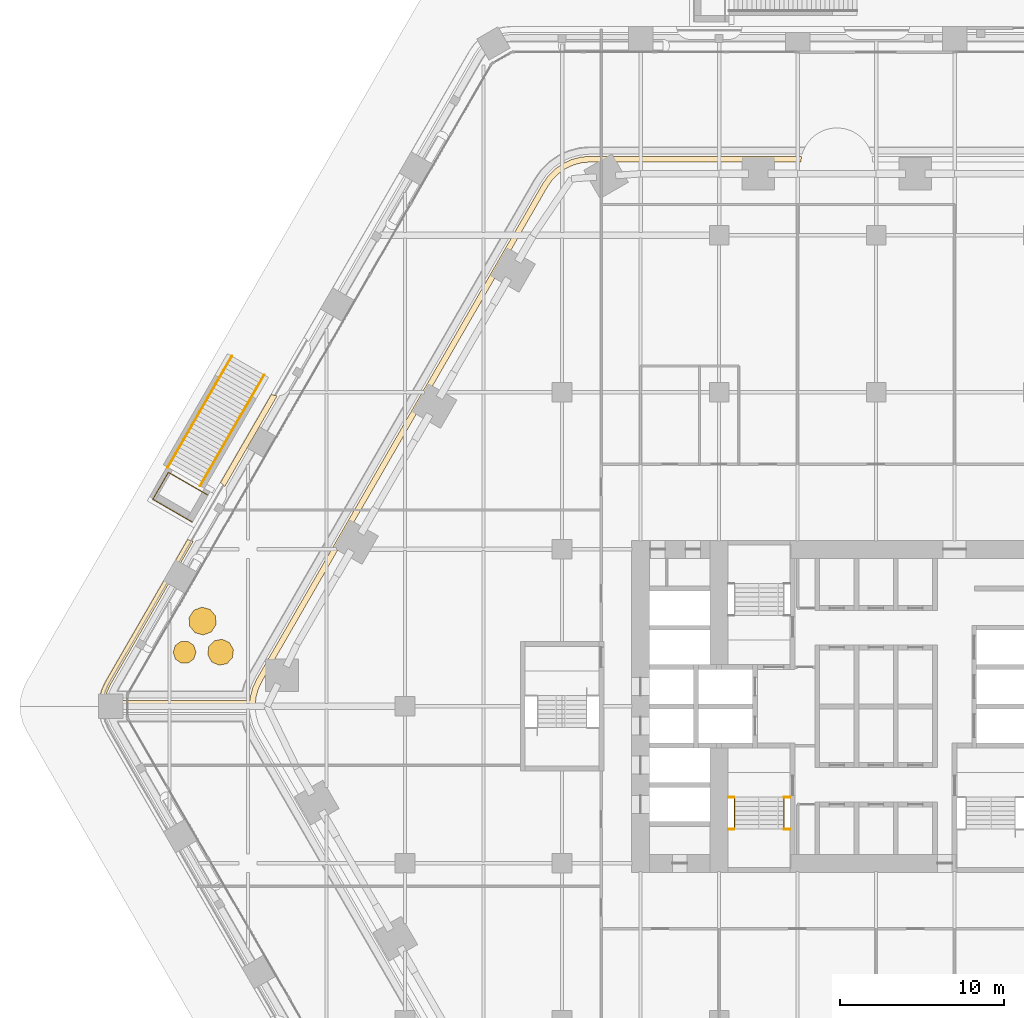
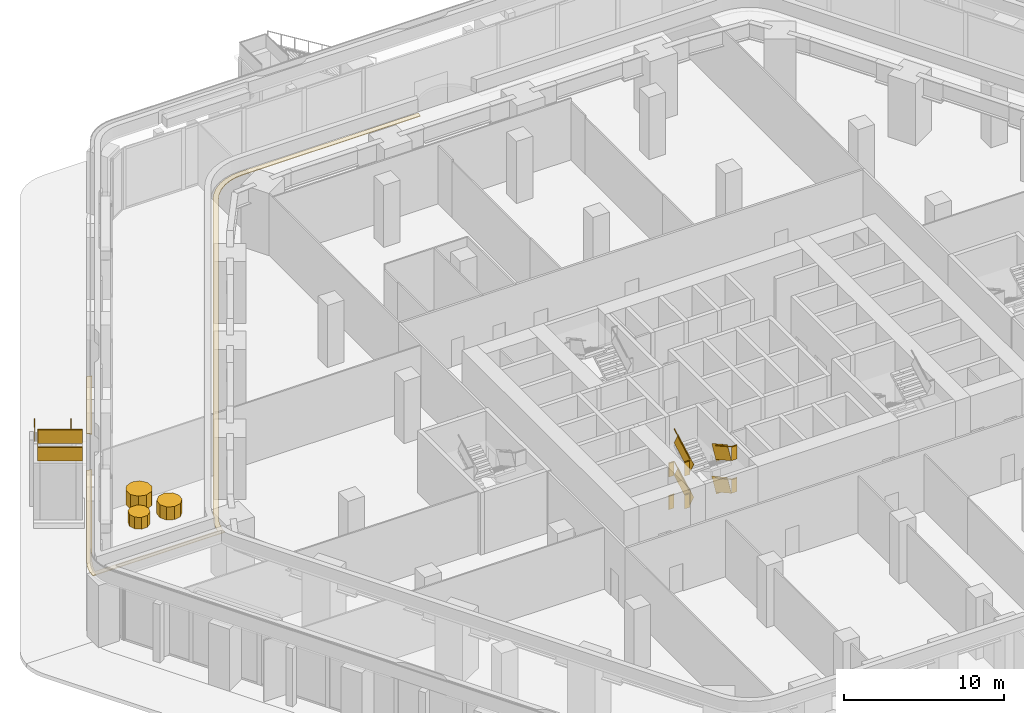
# One storey, part 30 of 34: 5 coverings, 5 railings.
"""IFC4 building model written with IfcOpenShell, lengths in metres."""

import ifcopenshell
import ifcopenshell.guid

model = None  # the IFC model being written
_history = None  # IfcOwnerHistory: only IFC2X3 demands one
_inside = {}  # id of a spatial element -> (the spatial element, [elements in it])
_under = {}  # id of a project, library or spatial element -> (it, [spatial elements below it])
_declared = {}  # id of a project -> (the project, [libraries it declares])
_typed = {}  # id of a type object -> (the type object, [elements of that type])
_made_of = {}  # id of a material, layer set ... -> (it, [elements and type objects made of it])


def new_model(schema):
    """Start an empty IFC model of exactly this schema.

    Asked for "IFC4X3", IfcOpenShell would pick the latest addendum, in which some entities
    have other attributes; the version numbers below select the first issue.
    IFC2X3 requires an IfcOwnerHistory on every rooted entity: one is made here for all.
    """
    global model, _history
    if schema == "IFC4X3":
        model = ifcopenshell.file(schema_version=(4, 3, 0, 0))
    else:
        model = ifcopenshell.file(schema=schema)
    _inside.clear()
    _under.clear()
    _declared.clear()
    _typed.clear()
    _made_of.clear()
    _history = None
    if model.schema == "IFC2X3":
        org = make("IfcOrganization", Name="unknown")
        user = make(
            "IfcPersonAndOrganization",
            ThePerson=make("IfcPerson", FamilyName="unknown"),
            TheOrganization=org,
        )
        app = make(
            "IfcApplication",
            ApplicationDeveloper=org,
            Version="unknown",
            ApplicationFullName="unknown",
            ApplicationIdentifier="unknown",
        )
        _history = make(
            "IfcOwnerHistory",
            OwningUser=user,
            OwningApplication=app,
            ChangeAction="ADDED",
            CreationDate=0,
        )
    return model


def make(cls, **values):
    """One entity of the class cls with the attributes given. An attribute that is None is left unset."""
    return model.create_entity(
        cls, **{name: value for name, value in values.items() if value is not None}
    )


def rooted(cls, **values):
    """An entity with a GlobalId (a new one), such as an element, a storey or a relation."""
    return make(cls, GlobalId=ifcopenshell.guid.new(), OwnerHistory=_history, **values)


def si_unit(unit_type, name, prefix=None):
    """IfcSIUnit, for example si_unit("LENGTHUNIT", "METRE", prefix="MILLI")."""
    return make("IfcSIUnit", UnitType=unit_type, Prefix=prefix, Name=name)


def assignment(units):
    """IfcUnitAssignment: the units of a project."""
    return None if units is None else make("IfcUnitAssignment", Units=units)


def point(xyz):
    """IfcCartesianPoint."""
    return None if xyz is None else make("IfcCartesianPoint", Coordinates=xyz)


def direction(xyz):
    """IfcDirection."""
    return None if xyz is None else make("IfcDirection", DirectionRatios=xyz)


def frame(location, z_axis=None, x_axis=None):
    """IfcAxis2Placement3D, a coordinate frame: its origin and axes. An axis left out is left unset."""
    return make(
        "IfcAxis2Placement3D",
        Location=point(location),
        Axis=direction(z_axis),
        RefDirection=direction(x_axis),
    )


def frame_2d(location, x_axis=None):
    """IfcAxis2Placement2D, a coordinate frame in the plane: its origin and x axis."""
    return make(
        "IfcAxis2Placement2D", Location=point(location), RefDirection=direction(x_axis)
    )


def origin():
    """The frame at (0, 0, 0) with its axes left unset."""
    return frame((0.0, 0.0, 0.0))


def origin_2d():
    """The frame at (0, 0) in the plane with its x axis left unset."""
    return frame_2d((0.0, 0.0))


def place(relative_to, where):
    """IfcLocalPlacement: puts the frame where relative to a parent placement (None: the world)."""
    return make(
        "IfcLocalPlacement", PlacementRelTo=relative_to, RelativePlacement=where
    )


def context(
    kind, dimensions, precision=None, world=None, true_north=None, identifier=None
):
    """IfcGeometricRepresentationContext, for example the 3D "Model" context."""
    return make(
        "IfcGeometricRepresentationContext",
        ContextIdentifier=identifier,
        ContextType=kind,
        CoordinateSpaceDimension=dimensions,
        Precision=precision,
        WorldCoordinateSystem=world,
        TrueNorth=true_north,
    )


def subcontext(parent, identifier, kind, view, scale=None):
    """IfcGeometricRepresentationSubContext, for example "Body" below "Model"."""
    return make(
        "IfcGeometricRepresentationSubContext",
        ContextIdentifier=identifier,
        ContextType=kind,
        ParentContext=parent,
        TargetScale=scale,
        TargetView=view,
    )


def project(units=None, contexts=None):
    """IfcProject with its units and contexts."""
    return rooted(
        "IfcProject",
        Name="project",
        RepresentationContexts=contexts,
        UnitsInContext=assignment(units),
    )


def spatial(cls, under=None, at=None, **own):
    """A site, building, storey or space (cls), placed at a placement, below another one or the project."""
    s = rooted(cls, ObjectPlacement=at, **own)
    if under is not None:
        _under.setdefault(under.id(), (under, []))[1].append(s)
    return s


def polyline(points):
    """IfcPolyline through the points."""
    return make("IfcPolyline", Points=[point(p) for p in points])


def profile(cls, at=None, kind="AREA", **sizes):
    """A parametric profile (cls). Its sizes go by their IFC names, for example OverallWidth=200.0."""
    return make(cls, ProfileType=kind, Position=at, **sizes)


def rectangle(**sizes):
    """IfcRectangleProfileDef."""
    return profile("IfcRectangleProfileDef", **sizes)


def circle(**sizes):
    """IfcCircleProfileDef."""
    return profile("IfcCircleProfileDef", **sizes)


def outline(outer, holes=None, kind="AREA"):
    """IfcArbitraryClosedProfileDef: a profile drawn as a closed curve; with holes, ...WithVoids."""
    if holes is None:
        return make("IfcArbitraryClosedProfileDef", ProfileType=kind, OuterCurve=outer)
    return make(
        "IfcArbitraryProfileDefWithVoids",
        ProfileType=kind,
        OuterCurve=outer,
        InnerCurves=holes,
    )


def extrude(swept, where, along, depth):
    """IfcExtrudedAreaSolid: the profile swept, set in the frame where, extruded along a direction by depth."""
    return make(
        "IfcExtrudedAreaSolid",
        SweptArea=swept,
        Position=where,
        ExtrudedDirection=direction(along),
        Depth=depth,
    )


def shape(context_of_items, identifier, shape_type, items):
    """IfcShapeRepresentation: the items that make up one representation, for example the "Body"."""
    return make(
        "IfcShapeRepresentation",
        ContextOfItems=context_of_items,
        RepresentationIdentifier=identifier,
        RepresentationType=shape_type,
        Items=items,
    )


def material(Name=None, Category=None):
    """IfcMaterial."""
    return make("IfcMaterial", Name=Name, Category=Category)


def layer(
    of_material, thickness, ventilated=None, Name=None, Category=None, Priority=None
):
    """IfcMaterialLayer: one layer of a wall or slab, of a material (None: an air gap)."""
    return make(
        "IfcMaterialLayer",
        Material=of_material,
        LayerThickness=thickness,
        IsVentilated=ventilated,
        Name=Name,
        Category=Category,
        Priority=Priority,
    )


def layer_set(layers, Name=None):
    """IfcMaterialLayerSet."""
    return make("IfcMaterialLayerSet", MaterialLayers=layers, LayerSetName=Name)


def made_of(thing, what):
    """Note that an element or type object is made of a material, layer set ...; save() writes the relation."""
    if what is not None:
        _made_of.setdefault(what.id(), (what, []))[1].append(thing)
    return thing


def type_object(cls, material=None, **own):
    """A type object (cls), such as IfcWallType, which elements share."""
    return made_of(rooted(cls, **own), material)


def element(
    cls,
    number,
    at=None,
    inside=None,
    cuts=None,
    type_object=None,
    material=None,
    context=None,
    identifier="Body",
    shape_type=None,
    held_by="IfcProductDefinitionShape",
    body=None,
    shapes=None,
    **own,
):
    """One element of the class cls, such as IfcWall. Its Tag is "e" and its number.

    at: its placement. inside: the storey or other place that contains it. cuts: it is an
    opening in that element (IfcRelVoidsElement). A single representation is given by context,
    identifier, shape_type and body (its items); several are given by shapes. held_by: the class
    of the entity that holds the representations. save() writes the other relations.
    """
    e = rooted(cls, Tag="e%d" % number, ObjectPlacement=at, **own)
    if body is not None:
        shapes = [shape(context, identifier, shape_type, body)]
    if shapes is not None:
        e.Representation = make(held_by, Representations=shapes)
    if inside is not None:
        _inside.setdefault(inside.id(), (inside, []))[1].append(e)
    if cuts is not None:
        rooted(
            "IfcRelVoidsElement", RelatingBuildingElement=cuts, RelatedOpeningElement=e
        )
    if type_object is not None:
        _typed.setdefault(type_object.id(), (type_object, []))[1].append(e)
    return made_of(e, material)


def aggregate(whole, parts):
    """IfcRelAggregates: a whole, such as a stair, and the parts it consists of."""
    return rooted("IfcRelAggregates", RelatingObject=whole, RelatedObjects=parts)


def save(model, path):
    """Write the relations noted so far, then the file.

    IfcRelAggregates (storeys below a building ...), IfcRelContainedInSpatialStructure (elements
    in a storey), IfcRelDefinesByType, IfcRelAssociatesMaterial and IfcRelDeclares: one each for
    every whole, place, type object, material and project.
    """
    for whole, parts in _under.values():
        aggregate(whole, parts)
    for where, things in _inside.values():
        rooted(
            "IfcRelContainedInSpatialStructure",
            RelatedElements=things,
            RelatingStructure=where,
        )
    for kind, things in _typed.values():
        rooted("IfcRelDefinesByType", RelatedObjects=things, RelatingType=kind)
    for what, things in _made_of.values():
        rooted("IfcRelAssociatesMaterial", RelatedObjects=things, RelatingMaterial=what)
    for by, libraries in _declared.values():
        rooted("IfcRelDeclares", RelatingContext=by, RelatedDefinitions=libraries)
    model.write(path)


model = new_model("IFC4")

# Units and contexts
model_context = context("Model", 3, precision=1e-05, world=origin(), true_north=direction((0.0, 1.0)))
body_context = subcontext(model_context, "Body", "Model", "MODEL_VIEW")
ifc_project = project(units=[si_unit("LENGTHUNIT", "METRE"), si_unit("AREAUNIT", "SQUARE_METRE"), si_unit("VOLUMEUNIT", "CUBIC_METRE"), si_unit("PLANEANGLEUNIT", "RADIAN"), si_unit("MASSUNIT", "GRAM", prefix="KILO")], contexts=[model_context])

# Site, building, storey
site_placement = place(None, origin())
site = spatial("IfcSite", under=ifc_project, at=site_placement, CompositionType="ELEMENT")
building_placement = place(site_placement, origin())
building = spatial("IfcBuilding", under=site, at=building_placement, Name="Kolab Exchange Tower", CompositionType="ELEMENT")
storey_placement = place(building_placement, frame((0.0, 0.0, 12.39990234375)))
storey = spatial("IfcBuildingStorey", under=building, at=storey_placement, Name="L02", CompositionType="ELEMENT", Elevation=12.39990234375)

# Covering
ifc_material_1 = material(Name="Flowering shrub planting", Category="soil")
ifc_layer_1 = layer(ifc_material_1, 1.0)
ifc_layer_set_1 = layer_set([ifc_layer_1], Name="Flowering shrub planting")
covering_type_1 = type_object("IfcCoveringType", Name="FLOWERING SHRUB PLANTING", PredefinedType="USERDEFINED", material=ifc_layer_set_1)
covering_1_placement = place(storey_placement, frame((0.0, 0.0, 5.25)))
element("IfcCovering", 1, at=covering_1_placement, inside=storey, type_object=covering_type_1, Name="Flowering shrub", ObjectType="PLANTING", PredefinedType="USERDEFINED", context=body_context, shape_type="SweptSolid", body=[
    extrude(outline(polyline([(-39.291015625, 3.464111328125), (-39.5341796875, 3.89453125), (-39.98388671875, 4.10009765625), (-40.468505859375, 4.001708984375), (-40.802978515625, 3.637451171875), (-40.859130859375, 3.146240234375), (-40.615966796875, 2.7158203125), (-40.166259765625, 2.510498046875), (-39.681640625, 2.608642578125), (-39.347412109375, 2.972900390625), (-39.291015625, 3.464111328125)])), origin(), (0.0, 0.0, 1.0), 1.0),
])

# Railings
ifc_material_2 = material(Name="Stainless steel 316", Category="steel")
railing_type_1 = type_object("IfcRailingType", Name="GUARD 1100", PredefinedType="GUARDRAIL", material=ifc_material_2)
railing_1_placement = place(storey_placement, frame((-9.050048828125, -5.550048828125, 0.0)))
element("IfcRailing", 2, at=railing_1_placement, inside=storey, type_object=railing_type_1, Name="Guard ST3", PredefinedType="GUARDRAIL", context=body_context, shape_type="SweptSolid", body=[
    extrude(rectangle(XDim=0.05, YDim=0.05, at=origin_2d()), frame((0.0, 0.0, 1.0751953125), z_axis=(1.0, 0.0, 0.0), x_axis=(0.0, 1.0, 0.0)), (0.0, 0.0, 1.0), 0.39013671875),
    extrude(rectangle(XDim=0.012, YDim=1.05009765625, at=frame_2d((0.0, 0.525146484375))), frame((0.0, 0.0, 0.0), z_axis=(1.0, 0.0, 0.0), x_axis=(0.0, 1.0, 0.0)), (0.0, 0.0, 1.0), 0.39013671875),
    extrude(rectangle(XDim=0.05, YDim=0.05, at=origin_2d()), frame((3.41015625, 0.0, 1.0751953125), z_axis=(1.0, 0.0, 0.0), x_axis=(0.0, 1.0, 0.0)), (0.0, 0.0, 1.0), 0.389892578125),
    extrude(rectangle(XDim=0.012, YDim=1.05009765625, at=frame_2d((0.0, 0.525146484375))), frame((3.41015625, 0.0, 0.0), z_axis=(1.0, 0.0, 0.0), x_axis=(0.0, 1.0, 0.0)), (0.0, 0.0, 1.0), 0.389892578125),
    extrude(rectangle(XDim=0.05, YDim=0.05, at=origin_2d()), frame((0.0, -1.9599609375, 2.3251953125), z_axis=(1.0, 0.0, 0.0), x_axis=(0.0, 1.0, 0.0)), (0.0, 0.0, 1.0), 0.39013671875),
    extrude(rectangle(XDim=0.012, YDim=1.05009765625, at=frame_2d((0.0, 0.525146484375))), frame((0.0, -1.9599609375, 1.25), z_axis=(1.0, 0.0, 0.0), x_axis=(0.0, 1.0, 0.0)), (0.0, 0.0, 1.0), 0.39013671875),
    extrude(rectangle(XDim=0.05, YDim=0.05, at=origin_2d()), frame((3.41015625, -1.9599609375, 2.3251953125), z_axis=(1.0, 0.0, 0.0), x_axis=(0.0, 1.0, 0.0)), (0.0, 0.0, 1.0), 0.389892578125),
    extrude(rectangle(XDim=0.012, YDim=1.05009765625, at=frame_2d((0.0, 0.525146484375))), frame((3.41015625, -1.9599609375, 1.25), z_axis=(1.0, 0.0, 0.0), x_axis=(0.0, 1.0, 0.0)), (0.0, 0.0, 1.0), 0.389892578125),
    extrude(rectangle(XDim=0.05, YDim=0.05, at=origin_2d()), frame((0.0, 0.0, 3.5751953125), z_axis=(1.0, 0.0, 0.0), x_axis=(0.0, 1.0, 0.0)), (0.0, 0.0, 1.0), 0.39013671875),
    extrude(rectangle(XDim=0.012, YDim=1.05009765625, at=frame_2d((0.0, 0.525146484375))), frame((0.0, 0.0, 2.5), z_axis=(1.0, 0.0, 0.0), x_axis=(0.0, 1.0, 0.0)), (0.0, 0.0, 1.0), 0.39013671875),
    extrude(rectangle(XDim=0.05, YDim=0.05, at=origin_2d()), frame((3.41015625, 0.0, 3.5751953125), z_axis=(1.0, 0.0, 0.0), x_axis=(0.0, 1.0, 0.0)), (0.0, 0.0, 1.0), 0.389892578125),
    extrude(rectangle(XDim=0.012, YDim=1.05009765625, at=frame_2d((0.0, 0.525146484375))), frame((3.41015625, 0.0, 2.5), z_axis=(1.0, 0.0, 0.0), x_axis=(0.0, 1.0, 0.0)), (0.0, 0.0, 1.0), 0.389892578125),
    extrude(rectangle(XDim=0.05, YDim=0.05, at=origin_2d()), frame((0.0, -1.9599609375, 4.8251953125), z_axis=(1.0, 0.0, 0.0), x_axis=(0.0, 1.0, 0.0)), (0.0, 0.0, 1.0), 0.39013671875),
    extrude(rectangle(XDim=0.012, YDim=1.05009765625, at=frame_2d((0.0, 0.525146484375))), frame((0.0, -1.9599609375, 3.75), z_axis=(1.0, 0.0, 0.0), x_axis=(0.0, 1.0, 0.0)), (0.0, 0.0, 1.0), 0.39013671875),
    extrude(rectangle(XDim=0.05, YDim=0.05, at=origin_2d()), frame((3.41015625, -1.9599609375, 4.8251953125), z_axis=(1.0, 0.0, 0.0), x_axis=(0.0, 1.0, 0.0)), (0.0, 0.0, 1.0), 0.389892578125),
    extrude(rectangle(XDim=0.012, YDim=1.05009765625, at=frame_2d((0.0, 0.525146484375))), frame((3.41015625, -1.9599609375, 3.75), z_axis=(1.0, 0.0, 0.0), x_axis=(0.0, 1.0, 0.0)), (0.0, 0.0, 1.0), 0.389892578125),
])
railing_2_placement = place(storey_placement, frame((-5.639892578125, -5.550048828125, 0.156494140625)))
element("IfcRailing", 3, at=railing_2_placement, inside=storey, type_object=railing_type_1, Name="Handrail guard ST3", PredefinedType="GUARDRAIL", context=body_context, shape_type="SweptSolid", body=[
    extrude(rectangle(XDim=0.05, YDim=0.05, at=origin_2d()), frame((0.0, 0.0, 1.0751953125), z_axis=(0.0, -0.873278433264, 0.487221487617), x_axis=(1.0, 0.0, 0.0)), (0.0, 0.0, 1.0), 2.244384765625),
    extrude(rectangle(XDim=0.012, YDim=1.05009765625, at=frame_2d((0.0, 0.525146484375))), frame((0.0, 0.0, 0.0), z_axis=(0.0, -0.873278433264, 0.487221487617), x_axis=(1.0, 0.0, 0.0)), (0.0, 0.0, 1.0), 2.244384765625),
    extrude(rectangle(XDim=0.05, YDim=0.05, at=origin_2d()), frame((-3.02001953125, -1.9599609375, 2.3251953125), z_axis=(0.0, 0.873278433264, 0.487221487617), x_axis=(-1.0, 0.0, 0.0)), (0.0, 0.0, 1.0), 2.244384765625),
    extrude(rectangle(XDim=0.012, YDim=1.05009765625, at=frame_2d((0.0, 0.525146484375))), frame((-3.02001953125, -1.9599609375, 1.25), z_axis=(0.0, 0.873278433264, 0.487221487617), x_axis=(-1.0, 0.0, 0.0)), (0.0, 0.0, 1.0), 2.244384765625),
    extrude(rectangle(XDim=0.05, YDim=0.05, at=origin_2d()), frame((0.0, 0.0, 3.5751953125), z_axis=(0.0, -0.873278433264, 0.487221487617), x_axis=(1.0, 0.0, 0.0)), (0.0, 0.0, 1.0), 2.244384765625),
    extrude(rectangle(XDim=0.012, YDim=1.05009765625, at=frame_2d((0.0, 0.525146484375))), frame((0.0, 0.0, 2.5), z_axis=(0.0, -0.873278433264, 0.487221487617), x_axis=(1.0, 0.0, 0.0)), (0.0, 0.0, 1.0), 2.244384765625),
    extrude(rectangle(XDim=0.05, YDim=0.05, at=origin_2d()), frame((-3.02001953125, -1.9599609375, 4.824951171875), z_axis=(0.0, 0.873232148454, 0.487304437602), x_axis=(-1.0, 0.0, 0.0)), (0.0, 0.0, 1.0), 2.244384765625),
    extrude(rectangle(XDim=0.012, YDim=1.05009765625, at=frame_2d((0.0, 0.525146484375))), frame((-3.02001953125, -1.9599609375, 3.749755859375), z_axis=(0.0, 0.873232148454, 0.487304437602), x_axis=(-1.0, 0.0, 0.0)), (0.0, 0.0, 1.0), 2.244384765625),
])
ifc_material_3 = material(Name="Steel S235", Category="steel")
railing_type_2 = type_object("IfcRailingType", Name="GUARD 1100 GLASS BALUSTRADE AND STEEL TOP RAIL", PredefinedType="GUARDRAIL", material=ifc_material_3)
for number, where, name in (
    (4, (-37.411376953125, 20.260009765625, 0.172607421875), "Stair guard"),
    (5, (-39.385986328125, 21.39990234375, 0.172607421875), "Stair guard"),
):
    element("IfcRailing", number, at=place(storey_placement, frame(where)), inside=storey, type_object=railing_type_2, Name=name, PredefinedType="GUARDRAIL", context=body_context, shape_type="SweptSolid", body=[
        extrude(circle(Radius=0.02490234375, at=origin_2d()), frame((0.0, 0.0, 1.0751953125), z_axis=(-0.425757892633, -0.737439399235, 0.524321799391), x_axis=(0.86602690036, -0.499997407846, 0.0)), (0.0, 0.0, 1.0), 9.20703125),
        extrude(circle(Radius=0.02001953125, at=origin_2d()), origin(), (0.0, 0.0, 1.0), 1.050048828125),
        extrude(circle(Radius=0.02001953125, at=origin_2d()), frame((-0.489990234375, -0.8486328125, 0.603515625)), (0.0, 0.0, 1.0), 1.050048828125),
        extrude(circle(Radius=0.02001953125, at=origin_2d()), frame((-0.97998046875, -1.697265625, 1.206787109375)), (0.0, 0.0, 1.0), 1.050048828125),
        extrude(circle(Radius=0.02001953125, at=origin_2d()), frame((-1.469970703125, -2.546142578125, 1.810302734375)), (0.0, 0.0, 1.0), 1.050048828125),
        extrude(circle(Radius=0.02001953125, at=origin_2d()), frame((-1.9599609375, -3.394775390625, 2.41357421875)), (0.0, 0.0, 1.0), 1.050048828125),
        extrude(circle(Radius=0.02001953125, at=origin_2d()), frame((-2.449951171875, -4.243408203125, 3.01708984375)), (0.0, 0.0, 1.0), 1.050048828125),
        extrude(circle(Radius=0.02001953125, at=origin_2d()), frame((-2.93994140625, -5.09228515625, 3.62060546875)), (0.0, 0.0, 1.0), 1.050048828125),
        extrude(circle(Radius=0.02001953125, at=origin_2d()), frame((-3.429931640625, -5.94091796875, 4.223876953125)), (0.0, 0.0, 1.0), 1.050048828125),
        extrude(circle(Radius=0.02001953125, at=origin_2d()), frame((-3.919921875, -6.78955078125, 4.827392578125)), (0.0, 0.0, 1.0), 1.050048828125),
    ])
railing_3_placement = place(storey_placement, frame((-41.79150390625, 11.25341796875, 5.0)))
element("IfcRailing", 6, at=railing_3_placement, inside=storey, type_object=railing_type_2, Name="Landing guard", PredefinedType="GUARDRAIL", context=body_context, shape_type="SweptSolid", body=[
    extrude(rectangle(XDim=0.05, YDim=0.05, at=origin_2d()), frame((0.0, 0.0, 1.0751953125), z_axis=(-0.866034573852, 0.49998411664, 0.0), x_axis=(-0.49998411664, -0.866034573852, 0.0)), (0.0, 0.0, 1.0), 2.7998046875),
    extrude(rectangle(XDim=0.012, YDim=1.05009765625, at=frame_2d((0.0, 0.525146484375))), frame((0.0, 0.0, 0.0), z_axis=(-0.866034573852, 0.49998411664, 0.0), x_axis=(-0.49998411664, -0.866034573852, 0.0)), (0.0, 0.0, 1.0), 2.7998046875),
    extrude(rectangle(XDim=0.05, YDim=0.05, at=origin_2d()), frame((-2.4248046875, 1.39990234375, 1.0751953125), z_axis=(0.499929534118, 0.866066083458, 0.0), x_axis=(-0.866066083458, 0.499929534118, 0.0)), (0.0, 0.0, 1.0), 1.905029296875),
    extrude(rectangle(XDim=0.012, YDim=1.05009765625, at=frame_2d((0.0, 0.525146484375))), frame((-2.4248046875, 1.39990234375, 0.0), z_axis=(0.499929534118, 0.866066083458, 0.0), x_axis=(-0.866066083458, 0.499929534118, 0.0)), (0.0, 0.0, 1.0), 1.905029296875),
    extrude(rectangle(XDim=0.05, YDim=0.05, at=origin_2d()), frame((-1.472412109375, 3.0498046875, 1.0751953125), z_axis=(0.866034573852, -0.49998411664, 0.0), x_axis=(0.49998411664, 0.866034573852, 0.0)), (0.0, 0.0, 1.0), 2.7998046875),
    extrude(rectangle(XDim=0.012, YDim=1.05009765625, at=frame_2d((0.0, 0.525146484375))), frame((-1.472412109375, 3.0498046875, 0.0), z_axis=(0.866034573852, -0.49998411664, 0.0), x_axis=(0.49998411664, 0.866034573852, 0.0)), (0.0, 0.0, 1.0), 2.7998046875),
])

# Coverings
ifc_material_4 = material(Name="Dense shrub planting", Category="soil")
ifc_layer_2 = layer(ifc_material_4, 1.39990234375)
ifc_layer_set_2 = layer_set([ifc_layer_2], Name="Dense shrub planting")
covering_type_2 = type_object("IfcCoveringType", Name="PLANTED TRELLIS SCREEN AND SHRUB BED", PredefinedType="USERDEFINED", material=ifc_layer_set_2)
covering_2_placement = place(storey_placement, frame((0.0, 0.0, 5.25)))
element("IfcCovering", 7, at=covering_2_placement, inside=storey, type_object=covering_type_2, Name="Shrub bed", ObjectType="PLANTING", PredefinedType="USERDEFINED", context=body_context, shape_type="SweptSolid", body=[
    extrude(outline(polyline([(-41.5751953125, 3.30517578125), (-41.708740234375, 3.716552734375), (-42.058837890625, 3.970947265625), (-42.491455078125, 3.970947265625), (-42.841552734375, 3.716552734375), (-42.97509765625, 3.30517578125), (-42.841552734375, 2.893798828125), (-42.491455078125, 2.639404296875), (-42.058837890625, 2.639404296875), (-41.708740234375, 2.893798828125), (-41.5751953125, 3.30517578125)])), origin(), (0.0, 0.0, 1.0), 0.900146484375),
])
covering_3_placement = place(storey_placement, frame((0.0, 0.0, 5.25)))
element("IfcCovering", 8, at=covering_3_placement, inside=storey, type_object=covering_type_2, Name="Shrub bed", ObjectType="PLANTING", PredefinedType="USERDEFINED", context=body_context, shape_type="SweptSolid", body=[
    extrude(outline(polyline([(-40.7158203125, 5.925537109375), (-41.223876953125, 6.05908203125), (-41.71337890625, 5.8681640625), (-41.997314453125, 5.42626953125), (-41.967041015625, 4.901611328125), (-41.63427734375, 4.4951171875), (-41.126220703125, 4.36181640625), (-40.63671875, 4.552490234375), (-40.35302734375, 4.99462890625), (-40.383056640625, 5.51904296875), (-40.7158203125, 5.925537109375)])), origin(), (0.0, 0.0, 1.0), 1.10009765625),
])
ifc_material_5 = material(Name="Limestone coping", Category="masonry")
ifc_layer_3 = layer(ifc_material_5, 0.050048828125)
ifc_layer_set_3 = layer_set([ifc_layer_3], Name="Limestone coping")
covering_type_3 = type_object("IfcCoveringType", Name="TERRACE EDGE BAND LIMESTONE 50", PredefinedType="CLADDING", material=ifc_layer_set_3)
covering_4_placement = place(storey_placement, frame((0.0, 0.0, 5.0)))
element("IfcCovering", 9, at=covering_4_placement, inside=storey, type_object=covering_type_3, Name="Terrace edge band", PredefinedType="CLADDING", context=body_context, shape_type="SweptSolid", body=[
    extrude(outline(polyline([(-36.962158203125, 19.078125), (-36.91015625, 19.05126953125), (-36.837158203125, 19.0224609375), (-36.76171875, 19.0009765625), (-36.684326171875, 18.98681640625), (-36.614013671875, 18.981201171875), (-39.822509765625, 13.423583984375), (-39.86279296875, 13.481689453125), (-39.91357421875, 13.54150390625), (-39.969970703125, 13.59619140625), (-40.031494140625, 13.64501953125), (-40.08056640625, 13.6767578125), (-36.962158203125, 19.078125)])), origin(), (0.0, 0.0, 1.0), 0.050048828125),
])
covering_5_placement = place(storey_placement, frame((0.0, 0.0, 5.0)))
element("IfcCovering", 10, at=covering_5_placement, inside=storey, type_object=covering_type_3, Name="Terrace edge band", PredefinedType="CLADDING", context=body_context, shape_type="SweptSolid", body=[
    extrude(outline(polyline([(-47.336181640625, 1.019287109375), (-47.1162109375, 1.49072265625), (-42.082275390625, 10.2099609375), (-42.0302734375, 10.183349609375), (-41.95703125, 10.154296875), (-41.881591796875, 10.1328125), (-41.804443359375, 10.11865234375), (-41.734130859375, 10.113037109375), (-46.805419921875, 1.3291015625), (-47.005859375, 0.89892578125), (-47.12451171875, 0.45654296875), (-47.132080078125, 0.3701171875), (-38.27490234375, 0.3701171875), (-38.256103515625, 0.58544921875), (-38.10400390625, 1.153076171875), (-37.862548828125, 1.6708984375), (-20.37841796875, 31.954345703125), (-20.050537109375, 32.42236328125), (-19.635009765625, 32.838134765625), (-19.153564453125, 33.175048828125), (-18.62109375, 33.423583984375), (-18.053466796875, 33.57568359375), (-17.484130859375, 33.62548828125), (-4.547607421875, 33.62548828125), (-4.5576171875, 33.58447265625), (-4.58935546875, 33.37109375), (-4.593994140625, 33.275390625), (-17.46875, 33.275390625), (-17.992431640625, 33.2294921875), (-18.5009765625, 33.09326171875), (-18.97802734375, 32.870849609375), (-19.4091796875, 32.56884765625), (-19.781494140625, 32.196533203125), (-20.0830078125, 31.76611328125), (-37.5517578125, 1.50927734375), (-37.77392578125, 1.032958984375), (-37.91015625, 0.5244140625), (-37.954345703125, 0.02001953125), (-47.51416015625, 0.02001953125), (-47.470458984375, 0.517578125), (-47.336181640625, 1.019287109375)])), origin(), (0.0, 0.0, 1.0), 0.050048828125),
])

save(model, "model.ifc")
